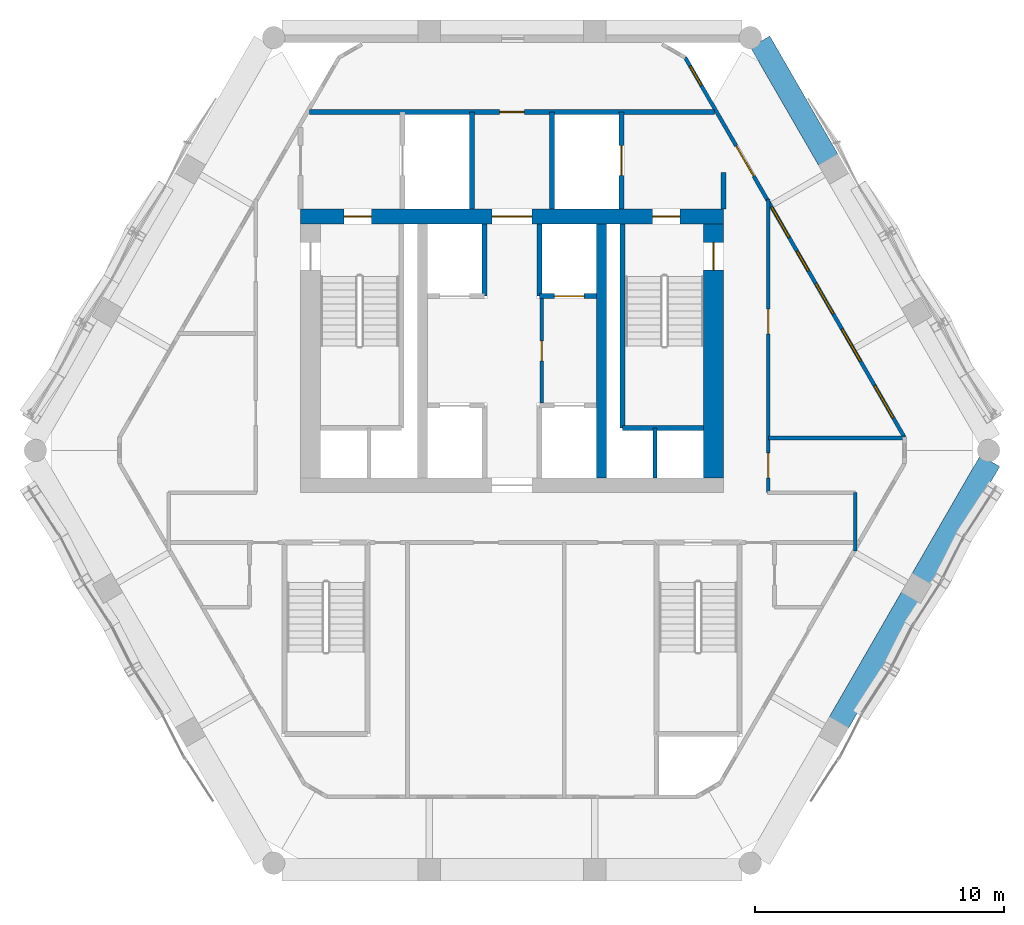
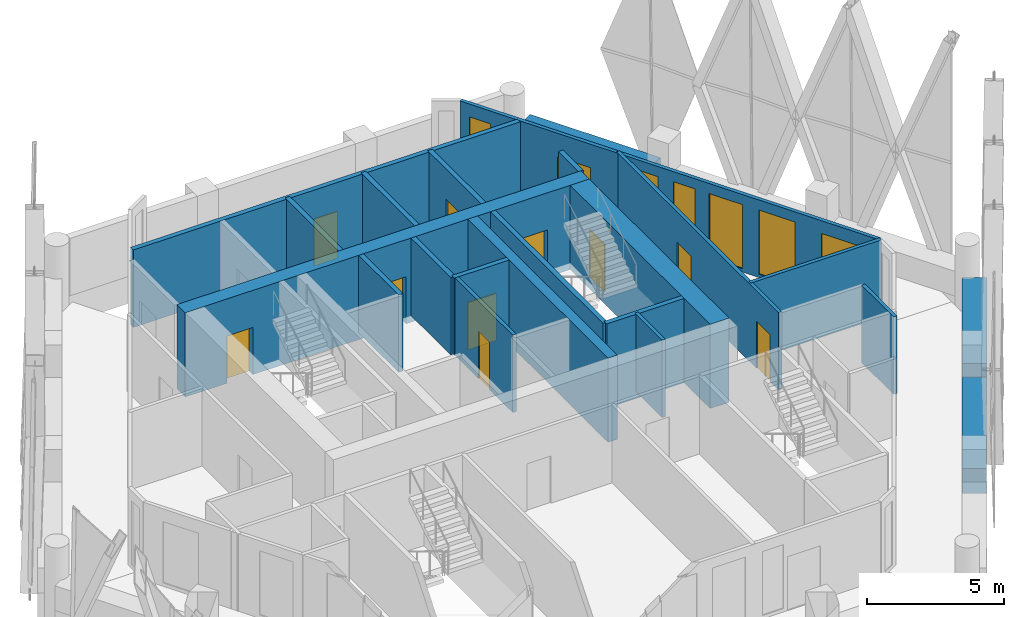
# One storey, part 14 of 18: 22 walls, 11 doors, 6 windows, 17 openings.
"""IFC4 building model written with IfcOpenShell, lengths in metres."""

import ifcopenshell
import ifcopenshell.guid

model = None  # the IFC model being written
_history = None  # IfcOwnerHistory: only IFC2X3 demands one
_inside = {}  # id of a spatial element -> (the spatial element, [elements in it])
_under = {}  # id of a project, library or spatial element -> (it, [spatial elements below it])
_declared = {}  # id of a project -> (the project, [libraries it declares])
_typed = {}  # id of a type object -> (the type object, [elements of that type])
_made_of = {}  # id of a material, layer set ... -> (it, [elements and type objects made of it])


def new_model(schema):
    """Start an empty IFC model of exactly this schema.

    Asked for "IFC4X3", IfcOpenShell would pick the latest addendum, in which some entities
    have other attributes; the version numbers below select the first issue.
    IFC2X3 requires an IfcOwnerHistory on every rooted entity: one is made here for all.
    """
    global model, _history
    if schema == "IFC4X3":
        model = ifcopenshell.file(schema_version=(4, 3, 0, 0))
    else:
        model = ifcopenshell.file(schema=schema)
    _inside.clear()
    _under.clear()
    _declared.clear()
    _typed.clear()
    _made_of.clear()
    _history = None
    if model.schema == "IFC2X3":
        org = make("IfcOrganization", Name="unknown")
        user = make(
            "IfcPersonAndOrganization",
            ThePerson=make("IfcPerson", FamilyName="unknown"),
            TheOrganization=org,
        )
        app = make(
            "IfcApplication",
            ApplicationDeveloper=org,
            Version="unknown",
            ApplicationFullName="unknown",
            ApplicationIdentifier="unknown",
        )
        _history = make(
            "IfcOwnerHistory",
            OwningUser=user,
            OwningApplication=app,
            ChangeAction="ADDED",
            CreationDate=0,
        )
    return model


def make(cls, **values):
    """One entity of the class cls with the attributes given. An attribute that is None is left unset."""
    return model.create_entity(
        cls, **{name: value for name, value in values.items() if value is not None}
    )


def rooted(cls, **values):
    """An entity with a GlobalId (a new one), such as an element, a storey or a relation."""
    return make(cls, GlobalId=ifcopenshell.guid.new(), OwnerHistory=_history, **values)


def si_unit(unit_type, name, prefix=None):
    """IfcSIUnit, for example si_unit("LENGTHUNIT", "METRE", prefix="MILLI")."""
    return make("IfcSIUnit", UnitType=unit_type, Prefix=prefix, Name=name)


def assignment(units):
    """IfcUnitAssignment: the units of a project."""
    return None if units is None else make("IfcUnitAssignment", Units=units)


def point(xyz):
    """IfcCartesianPoint."""
    return None if xyz is None else make("IfcCartesianPoint", Coordinates=xyz)


def direction(xyz):
    """IfcDirection."""
    return None if xyz is None else make("IfcDirection", DirectionRatios=xyz)


def frame(location, z_axis=None, x_axis=None):
    """IfcAxis2Placement3D, a coordinate frame: its origin and axes. An axis left out is left unset."""
    return make(
        "IfcAxis2Placement3D",
        Location=point(location),
        Axis=direction(z_axis),
        RefDirection=direction(x_axis),
    )


def frame_2d(location, x_axis=None):
    """IfcAxis2Placement2D, a coordinate frame in the plane: its origin and x axis."""
    return make(
        "IfcAxis2Placement2D", Location=point(location), RefDirection=direction(x_axis)
    )


def origin():
    """The frame at (0, 0, 0) with its axes left unset."""
    return frame((0.0, 0.0, 0.0))


def place(relative_to, where):
    """IfcLocalPlacement: puts the frame where relative to a parent placement (None: the world)."""
    return make(
        "IfcLocalPlacement", PlacementRelTo=relative_to, RelativePlacement=where
    )


def context(
    kind, dimensions, precision=None, world=None, true_north=None, identifier=None
):
    """IfcGeometricRepresentationContext, for example the 3D "Model" context."""
    return make(
        "IfcGeometricRepresentationContext",
        ContextIdentifier=identifier,
        ContextType=kind,
        CoordinateSpaceDimension=dimensions,
        Precision=precision,
        WorldCoordinateSystem=world,
        TrueNorth=true_north,
    )


def subcontext(parent, identifier, kind, view, scale=None):
    """IfcGeometricRepresentationSubContext, for example "Body" below "Model"."""
    return make(
        "IfcGeometricRepresentationSubContext",
        ContextIdentifier=identifier,
        ContextType=kind,
        ParentContext=parent,
        TargetScale=scale,
        TargetView=view,
    )


def project(units=None, contexts=None):
    """IfcProject with its units and contexts."""
    return rooted(
        "IfcProject",
        Name="project",
        RepresentationContexts=contexts,
        UnitsInContext=assignment(units),
    )


def spatial(cls, under=None, at=None, **own):
    """A site, building, storey or space (cls), placed at a placement, below another one or the project."""
    s = rooted(cls, ObjectPlacement=at, **own)
    if under is not None:
        _under.setdefault(under.id(), (under, []))[1].append(s)
    return s


def profile(cls, at=None, kind="AREA", **sizes):
    """A parametric profile (cls). Its sizes go by their IFC names, for example OverallWidth=200.0."""
    return make(cls, ProfileType=kind, Position=at, **sizes)


def rectangle(**sizes):
    """IfcRectangleProfileDef."""
    return profile("IfcRectangleProfileDef", **sizes)


def extrude(swept, where, along, depth):
    """IfcExtrudedAreaSolid: the profile swept, set in the frame where, extruded along a direction by depth."""
    return make(
        "IfcExtrudedAreaSolid",
        SweptArea=swept,
        Position=where,
        ExtrudedDirection=direction(along),
        Depth=depth,
    )


def shape(context_of_items, identifier, shape_type, items):
    """IfcShapeRepresentation: the items that make up one representation, for example the "Body"."""
    return make(
        "IfcShapeRepresentation",
        ContextOfItems=context_of_items,
        RepresentationIdentifier=identifier,
        RepresentationType=shape_type,
        Items=items,
    )


def material(Name=None, Category=None):
    """IfcMaterial."""
    return make("IfcMaterial", Name=Name, Category=Category)


def layer(
    of_material, thickness, ventilated=None, Name=None, Category=None, Priority=None
):
    """IfcMaterialLayer: one layer of a wall or slab, of a material (None: an air gap)."""
    return make(
        "IfcMaterialLayer",
        Material=of_material,
        LayerThickness=thickness,
        IsVentilated=ventilated,
        Name=Name,
        Category=Category,
        Priority=Priority,
    )


def layer_set(layers, Name=None):
    """IfcMaterialLayerSet."""
    return make("IfcMaterialLayerSet", MaterialLayers=layers, LayerSetName=Name)


def made_of(thing, what):
    """Note that an element or type object is made of a material, layer set ...; save() writes the relation."""
    if what is not None:
        _made_of.setdefault(what.id(), (what, []))[1].append(thing)
    return thing


def type_object(cls, material=None, **own):
    """A type object (cls), such as IfcWallType, which elements share."""
    return made_of(rooted(cls, **own), material)


def element(
    cls,
    number,
    at=None,
    inside=None,
    cuts=None,
    type_object=None,
    material=None,
    context=None,
    identifier="Body",
    shape_type=None,
    held_by="IfcProductDefinitionShape",
    body=None,
    shapes=None,
    **own,
):
    """One element of the class cls, such as IfcWall. Its Tag is "e" and its number.

    at: its placement. inside: the storey or other place that contains it. cuts: it is an
    opening in that element (IfcRelVoidsElement). A single representation is given by context,
    identifier, shape_type and body (its items); several are given by shapes. held_by: the class
    of the entity that holds the representations. save() writes the other relations.
    """
    e = rooted(cls, Tag="e%d" % number, ObjectPlacement=at, **own)
    if body is not None:
        shapes = [shape(context, identifier, shape_type, body)]
    if shapes is not None:
        e.Representation = make(held_by, Representations=shapes)
    if inside is not None:
        _inside.setdefault(inside.id(), (inside, []))[1].append(e)
    if cuts is not None:
        rooted(
            "IfcRelVoidsElement", RelatingBuildingElement=cuts, RelatedOpeningElement=e
        )
    if type_object is not None:
        _typed.setdefault(type_object.id(), (type_object, []))[1].append(e)
    return made_of(e, material)


def fill(opening, filler):
    """IfcRelFillsElement: the door or window that sits in an opening."""
    return rooted(
        "IfcRelFillsElement",
        RelatingOpeningElement=opening,
        RelatedBuildingElement=filler,
    )


def aggregate(whole, parts):
    """IfcRelAggregates: a whole, such as a stair, and the parts it consists of."""
    return rooted("IfcRelAggregates", RelatingObject=whole, RelatedObjects=parts)


def save(model, path):
    """Write the relations noted so far, then the file.

    IfcRelAggregates (storeys below a building ...), IfcRelContainedInSpatialStructure (elements
    in a storey), IfcRelDefinesByType, IfcRelAssociatesMaterial and IfcRelDeclares: one each for
    every whole, place, type object, material and project.
    """
    for whole, parts in _under.values():
        aggregate(whole, parts)
    for where, things in _inside.values():
        rooted(
            "IfcRelContainedInSpatialStructure",
            RelatedElements=things,
            RelatingStructure=where,
        )
    for kind, things in _typed.values():
        rooted("IfcRelDefinesByType", RelatedObjects=things, RelatingType=kind)
    for what, things in _made_of.values():
        rooted("IfcRelAssociatesMaterial", RelatedObjects=things, RelatingMaterial=what)
    for by, libraries in _declared.values():
        rooted("IfcRelDeclares", RelatingContext=by, RelatedDefinitions=libraries)
    model.write(path)


model = new_model("IFC4")

# Units and contexts
model_context = context("Model", 3, precision=1e-05, world=origin(), true_north=direction((0.0, 1.0)))
body_context = subcontext(model_context, "Body", "Model", "MODEL_VIEW")
ifc_project = project(units=[si_unit("LENGTHUNIT", "METRE"), si_unit("AREAUNIT", "SQUARE_METRE"), si_unit("VOLUMEUNIT", "CUBIC_METRE"), si_unit("PLANEANGLEUNIT", "RADIAN"), si_unit("MASSUNIT", "GRAM", prefix="KILO")], contexts=[model_context])

# Site, building, storey
site_placement = place(None, origin())
site = spatial("IfcSite", under=ifc_project, at=site_placement, CompositionType="ELEMENT")
building_placement = place(site_placement, origin())
building = spatial("IfcBuilding", under=site, at=building_placement, Name="Ostrander Bayou Hotel Tower", CompositionType="ELEMENT")
storey_placement = place(building_placement, frame((0.0, 0.0, 214.5)))
storey = spatial("IfcBuildingStorey", under=building, at=storey_placement, Name="L53", CompositionType="ELEMENT", Elevation=214.5)

# Wall, openings, doors
ifc_material_1 = material(Name="Concrete f'c 60 MPa", Category="concrete")
ifc_layer_1 = layer(ifc_material_1, 0.60009765625)
ifc_layer_set_1 = layer_set([ifc_layer_1], Name="CW10 core wall 600 mm f'c 60 MPa")
wall_type_1 = type_object("IfcWallType", Name="CW10 core wall 600 mm f'c 60 MPa", PredefinedType="SHEAR", material=ifc_layer_set_1)
wall_1_placement = place(storey_placement, frame((-8.5, 9.39990234375, -0.300048828125), z_axis=(0.0, 0.0, 1.0), x_axis=(1.0, 0.0, 0.0)))
wall_1 = element("IfcWall", 1, at=wall_1_placement, inside=storey, type_object=wall_type_1, Name="CW10 L53 N", PredefinedType="SHEAR", context=body_context, shape_type="SweptSolid", body=[
    extrude(rectangle(XDim=17.0, YDim=0.60009765625, at=frame_2d((8.5, 0.0))), origin(), (0.0, 0.0, 1.0), 3.75),
])
opening_1_placement = place(wall_1_placement, frame((7.699951171875, 0.0, 0.0)))
opening_1 = element("IfcOpeningElement", 2, at=opening_1_placement, cuts=wall_1, Name="Opening T53-006", PredefinedType="OPENING", context=body_context, shape_type="SweptSolid", body=[
    extrude(rectangle(XDim=1.60009765625, YDim=2.10009765625, at=frame_2d((0.800048828125, 1.050048828125))), frame((0.0, 0.300048828125, 0.0), z_axis=(0.0, -1.0, 0.0), x_axis=(1.0, 0.0, 0.0)), (0.0, 0.0, 1.0), 0.60009765625),
])
opening_2_placement = place(wall_1_placement, frame((1.75, 0.0, 0.0)))
opening_2 = element("IfcOpeningElement", 3, at=opening_2_placement, cuts=wall_1, Name="Opening T53-007", PredefinedType="OPENING", context=body_context, shape_type="SweptSolid", body=[
    extrude(rectangle(XDim=1.10009765625, YDim=2.10009765625, at=frame_2d((0.550048828125, 1.050048828125))), frame((0.0, 0.300048828125, 0.0), z_axis=(0.0, -1.0, 0.0), x_axis=(1.0, 0.0, 0.0)), (0.0, 0.0, 1.0), 0.60009765625),
])
opening_3_placement = place(wall_1_placement, frame((14.14990234375, 0.0, 0.0)))
opening_3 = element("IfcOpeningElement", 4, at=opening_3_placement, cuts=wall_1, Name="Opening T53-009", PredefinedType="OPENING", context=body_context, shape_type="SweptSolid", body=[
    extrude(rectangle(XDim=1.10009765625, YDim=2.10009765625, at=frame_2d((0.550048828125, 1.050048828125))), frame((0.0, 0.300048828125, 0.0), z_axis=(0.0, -1.0, 0.0), x_axis=(1.0, 0.0, 0.0)), (0.0, 0.0, 1.0), 0.60009765625),
])
ifc_material_2 = material(Name="Timber door leaf", Category="wood")
door_type_1 = type_object("IfcDoorType", Name="D13 double door 1600 x 2100 mm, 1 hour", OperationType="SINGLE_SWING_LEFT", PredefinedType="DOOR", material=ifc_material_2)
door_1_placement = place(opening_1_placement, origin())
door_1 = element("IfcDoor", 5, at=door_1_placement, inside=storey, type_object=door_type_1, Name="dr:L53:006", OperationType="DOUBLE_DOOR_SINGLE_SWING", OverallHeight=2.10009765625, OverallWidth=1.60009765625, PredefinedType="DOOR", context=body_context, shape_type="SweptSolid", body=[
    extrude(rectangle(XDim=1.60009765625, YDim=2.10009765625, at=frame_2d((0.800048828125, 1.050048828125))), frame((0.0, 0.02490234375, 0.0), z_axis=(0.0, -1.0, 0.0), x_axis=(1.0, 0.0, 0.0)), (0.0, 0.0, 1.0), 0.050048828125),
])
fill(opening_1, door_1)
ifc_material_3 = material(Name="Timber door leaf", Category="wood")
door_type_2 = type_object("IfcDoorType", Name="D5 stair door 1100 x 2100 mm, 90 minute", OperationType="SINGLE_SWING_LEFT", PredefinedType="DOOR", material=ifc_material_3)
door_2_placement = place(opening_2_placement, origin())
door_2 = element("IfcDoor", 6, at=door_2_placement, inside=storey, type_object=door_type_2, Name="dr:L53:007", OperationType="SINGLE_SWING_LEFT", OverallHeight=2.10009765625, OverallWidth=1.10009765625, PredefinedType="DOOR", context=body_context, shape_type="SweptSolid", body=[
    extrude(rectangle(XDim=1.10009765625, YDim=2.10009765625, at=frame_2d((0.550048828125, 1.050048828125))), frame((0.0, 0.02490234375, 0.0), z_axis=(0.0, -1.0, 0.0), x_axis=(1.0, 0.0, 0.0)), (0.0, 0.0, 1.0), 0.050048828125),
])
fill(opening_2, door_2)
door_3_placement = place(opening_3_placement, origin())
door_3 = element("IfcDoor", 7, at=door_3_placement, inside=storey, type_object=door_type_2, Name="dr:L53:009", OperationType="SINGLE_SWING_RIGHT", OverallHeight=2.10009765625, OverallWidth=1.10009765625, PredefinedType="DOOR", context=body_context, shape_type="SweptSolid", body=[
    extrude(rectangle(XDim=1.10009765625, YDim=2.10009765625, at=frame_2d((0.550048828125, 1.050048828125))), frame((0.0, 0.02490234375, 0.0), z_axis=(0.0, -1.0, 0.0), x_axis=(1.0, 0.0, 0.0)), (0.0, 0.0, 1.0), 0.050048828125),
])
fill(opening_3, door_3)

# Wall, opening, door
ifc_material_4 = material(Name="Concrete f'c 60 MPa", Category="concrete")
ifc_layer_2 = layer(ifc_material_4, 0.800048828125)
ifc_layer_set_2 = layer_set([ifc_layer_2], Name="CW11 core spine wall 800 mm f'c 60 MPa")
wall_type_2 = type_object("IfcWallType", Name="CW11 core spine wall 800 mm f'c 60 MPa", PredefinedType="SHEAR", material=ifc_layer_set_2)
wall_2_placement = place(storey_placement, frame((8.10009765625, -1.10009765625, -0.300048828125), z_axis=(0.0, 0.0, 1.0), x_axis=(0.0, 1.0, 0.0)))
wall_2 = element("IfcWall", 8, at=wall_2_placement, inside=storey, type_object=wall_type_2, Name="CW11 L53 E", PredefinedType="SHEAR", context=body_context, shape_type="SweptSolid", body=[
    extrude(rectangle(XDim=10.2001953125, YDim=0.800048828125, at=frame_2d((5.10009765625, 0.0))), origin(), (0.0, 0.0, 1.0), 3.75),
])
opening_4_placement = place(wall_2_placement, frame((8.35009765625, 0.0, 0.0)))
opening_4 = element("IfcOpeningElement", 9, at=opening_4_placement, cuts=wall_2, Name="Opening T53-010", PredefinedType="OPENING", context=body_context, shape_type="SweptSolid", body=[
    extrude(rectangle(XDim=1.10009765625, YDim=2.10009765625, at=frame_2d((0.550048828125, 1.050048828125))), frame((0.0, 0.39990234375, 0.0), z_axis=(0.0, -1.0, 0.0), x_axis=(1.0, 0.0, 0.0)), (0.0, 0.0, 1.0), 0.800048828125),
])
door_4_placement = place(opening_4_placement, origin())
door_4 = element("IfcDoor", 10, at=door_4_placement, inside=storey, type_object=door_type_2, Name="dr:L53:010", OperationType="SINGLE_SWING_LEFT", OverallHeight=2.10009765625, OverallWidth=1.10009765625, PredefinedType="DOOR", context=body_context, shape_type="SweptSolid", body=[
    extrude(rectangle(XDim=1.10009765625, YDim=2.10009765625, at=frame_2d((0.550048828125, 1.050048828125))), frame((0.0, 0.02490234375, 0.0), z_axis=(0.0, -1.0, 0.0), x_axis=(1.0, 0.0, 0.0)), (0.0, 0.0, 1.0), 0.050048828125),
])
fill(opening_4, door_4)

# Wall
ifc_material_5 = material(Name="Concrete f'c 60 MPa", Category="concrete")
ifc_layer_3 = layer(ifc_material_5, 0.39990234375)
ifc_layer_set_3 = layer_set([ifc_layer_3], Name="CW12 core bank wall 400 mm f'c 60 MPa")
wall_type_3 = type_object("IfcWallType", Name="CW12 core bank wall 400 mm f'c 60 MPa", PredefinedType="SHEAR", material=ifc_layer_set_3)
wall_3_placement = place(storey_placement, frame((3.60009765625, -1.10009765625, -0.300048828125), z_axis=(0.0, 0.0, 1.0), x_axis=(0.0, 1.0, 0.0)))
element("IfcWall", 11, at=wall_3_placement, inside=storey, type_object=wall_type_3, Name="CW12 L53 CE", PredefinedType="SHEAR", context=body_context, shape_type="SweptSolid", body=[
    extrude(rectangle(XDim=10.2001953125, YDim=0.39990234375, at=frame_2d((5.10009765625, 0.0))), origin(), (0.0, 0.0, 1.0), 3.75),
])

# Wall, openings, door, windows
ifc_material_6 = material(Name="Aluminium framed insulated wall", Category="aluminium")
ifc_layer_4 = layer(ifc_material_6, 0.14990234375)
ifc_layer_set_4 = layer_set([ifc_layer_4], Name="GW1 glass-line wall 150 mm")
wall_type_4 = type_object("IfcWallType", Name="GW1 glass-line wall 150 mm", PredefinedType="SOLIDWALL", material=ifc_layer_set_4)
wall_4_placement = place(storey_placement, frame((15.771728515625, 0.532470703125, 0.0), z_axis=(0.0, 0.0, 1.0), x_axis=(-0.49999710518, 0.866027075103, 0.0)))
wall_4 = element("IfcWall", 12, at=wall_4_placement, inside=storey, type_object=wall_type_4, Name="GW1 L53 NE 1", PredefinedType="SOLIDWALL", context=body_context, shape_type="SweptSolid", body=[
    extrude(rectangle(XDim=17.62060546875, YDim=0.14990234375, at=frame_2d((8.810302734375, 0.0))), origin(), (0.0, 0.0, 1.0), 3.449951171875),
])
opening_5_placement = place(wall_4_placement, frame((3.524658203125, 0.0, 0.14990234375)))
opening_5 = element("IfcOpeningElement", 13, at=opening_5_placement, cuts=wall_4, Name="Opening W4", PredefinedType="OPENING", context=body_context, shape_type="SweptSolid", body=[
    extrude(rectangle(XDim=1.5, YDim=2.85009765625, at=frame_2d((0.75, 1.425048828125))), frame((0.0, 0.074951171875, 0.0), z_axis=(0.0, -1.0, 0.0), x_axis=(1.0, 0.0, 0.0)), (0.0, 0.0, 1.0), 0.14990234375),
])
opening_6_placement = place(wall_4_placement, frame((5.724609375, 0.0, 0.14990234375)))
opening_6 = element("IfcOpeningElement", 14, at=opening_6_placement, cuts=wall_4, Name="Opening W14", PredefinedType="OPENING", context=body_context, shape_type="SweptSolid", body=[
    extrude(rectangle(XDim=1.39990234375, YDim=2.85009765625, at=frame_2d((0.699951171875, 1.425048828125))), frame((0.0, 0.074951171875, 0.0), z_axis=(0.0, -1.0, 0.0), x_axis=(1.0, 0.0, 0.0)), (0.0, 0.0, 1.0), 0.14990234375),
])
opening_7_placement = place(wall_4_placement, frame((7.724609375, 0.0, 0.14990234375)))
opening_7 = element("IfcOpeningElement", 15, at=opening_7_placement, cuts=wall_4, Name="Opening W18", PredefinedType="OPENING", context=body_context, shape_type="SweptSolid", body=[
    extrude(rectangle(XDim=0.89990234375, YDim=2.85009765625, at=frame_2d((0.449951171875, 1.425048828125))), frame((0.0, 0.074951171875, 0.0), z_axis=(0.0, -1.0, 0.0), x_axis=(1.0, 0.0, 0.0)), (0.0, 0.0, 1.0), 0.14990234375),
])
opening_8_placement = place(wall_4_placement, frame((9.271484375, 0.0, 0.14990234375)))
opening_8 = element("IfcOpeningElement", 16, at=opening_8_placement, cuts=wall_4, Name="Opening W14", PredefinedType="OPENING", context=body_context, shape_type="SweptSolid", body=[
    extrude(rectangle(XDim=1.39990234375, YDim=2.85009765625, at=frame_2d((0.699951171875, 1.425048828125))), frame((0.0, 0.074951171875, 0.0), z_axis=(0.0, -1.0, 0.0), x_axis=(1.0, 0.0, 0.0)), (0.0, 0.0, 1.0), 0.14990234375),
])
opening_9_placement = place(wall_4_placement, frame((12.114013671875, 0.0, 0.0)))
opening_9 = element("IfcOpeningElement", 17, at=opening_9_placement, cuts=wall_4, Name="Opening T53-803", PredefinedType="OPENING", context=body_context, shape_type="SweptSolid", body=[
    extrude(rectangle(XDim=1.39990234375, YDim=2.39990234375, at=frame_2d((0.699951171875, 1.199951171875))), frame((0.0, 0.074951171875, 0.0), z_axis=(0.0, -1.0, 0.0), x_axis=(1.0, 0.0, 0.0)), (0.0, 0.0, 1.0), 0.14990234375),
])
opening_10_placement = place(wall_4_placement, frame((0.89404296875, 0.0, 0.14990234375)))
opening_10 = element("IfcOpeningElement", 18, at=opening_10_placement, cuts=wall_4, Name="Opening W4", PredefinedType="OPENING", context=body_context, shape_type="SweptSolid", body=[
    extrude(rectangle(XDim=1.5, YDim=2.72998046875, at=frame_2d((0.75, 1.364990234375))), frame((0.0, 0.074951171875, 0.0), z_axis=(0.0, -1.0, 0.0), x_axis=(1.0, 0.0, 0.0)), (0.0, 0.0, 1.0), 0.14990234375),
])
opening_11_placement = place(wall_4_placement, frame((16.32275390625, 0.0, 0.14990234375)))
opening_11 = element("IfcOpeningElement", 19, at=opening_11_placement, cuts=wall_4, Name="Opening W18", PredefinedType="OPENING", context=body_context, shape_type="SweptSolid", body=[
    extrude(rectangle(XDim=0.89990234375, YDim=2.72998046875, at=frame_2d((0.449951171875, 1.364990234375))), frame((0.0, 0.074951171875, 0.0), z_axis=(0.0, -1.0, 0.0), x_axis=(1.0, 0.0, 0.0)), (0.0, 0.0, 1.0), 0.14990234375),
])
ifc_material_7 = material(Name="Aluminium and clear glass", Category="aluminium")
door_type_3 = type_object("IfcDoorType", Name="SD4 sliding glass door 1400 mm, zone 4", OperationType="SLIDING_TO_LEFT", PredefinedType="DOOR", material=ifc_material_7)
door_5_placement = place(opening_9_placement, origin())
door_5 = element("IfcDoor", 20, at=door_5_placement, inside=storey, type_object=door_type_3, Name="SD4 L53 NE 4", OperationType="SLIDING_TO_RIGHT", OverallHeight=2.39990234375, OverallWidth=1.39990234375, PredefinedType="DOOR", context=body_context, shape_type="SweptSolid", body=[
    extrude(rectangle(XDim=1.39990234375, YDim=2.39990234375, at=frame_2d((0.699951171875, 1.199951171875))), frame((0.0, 0.02490234375, 0.0), z_axis=(0.0, -1.0, 0.0), x_axis=(1.0, 0.0, 0.0)), (0.0, 0.0, 1.0), 0.050048828125),
])
fill(opening_9, door_5)
ifc_material_8 = material(Name="Aluminium and clear glass", Category="aluminium")
window_type_1 = type_object("IfcWindowType", Name="W14 fixed window 1400 mm, bath bay, zone 4", PartitioningType="SINGLE_PANEL", PredefinedType="WINDOW", material=ifc_material_8)
window_1_placement = place(opening_6_placement, origin())
window_1 = element("IfcWindow", 21, at=window_1_placement, inside=storey, type_object=window_type_1, Name="W14 L53 NE 2", OverallHeight=2.85009765625, OverallWidth=1.39990234375, PartitioningType="SINGLE_PANEL", PredefinedType="WINDOW", context=body_context, shape_type="SweptSolid", body=[
    extrude(rectangle(XDim=1.39990234375, YDim=2.85009765625, at=frame_2d((0.699951171875, 1.425048828125))), frame((0.0, 0.030029296875, 0.0), z_axis=(0.0, -1.0, 0.0), x_axis=(1.0, 0.0, 0.0)), (0.0, 0.0, 1.0), 0.06005859375),
])
fill(opening_6, window_1)
window_2_placement = place(opening_8_placement, origin())
window_2 = element("IfcWindow", 22, at=window_2_placement, inside=storey, type_object=window_type_1, Name="W14 L53 NE 3", OverallHeight=2.85009765625, OverallWidth=1.39990234375, PartitioningType="SINGLE_PANEL", PredefinedType="WINDOW", context=body_context, shape_type="SweptSolid", body=[
    extrude(rectangle(XDim=1.39990234375, YDim=2.85009765625, at=frame_2d((0.699951171875, 1.425048828125))), frame((0.0, 0.030029296875, 0.0), z_axis=(0.0, -1.0, 0.0), x_axis=(1.0, 0.0, 0.0)), (0.0, 0.0, 1.0), 0.06005859375),
])
fill(opening_8, window_2)
ifc_material_9 = material(Name="Aluminium and clear glass", Category="aluminium")
window_type_2 = type_object("IfcWindowType", Name="W18 window 900 mm, zone 4", PartitioningType="SINGLE_PANEL", PredefinedType="WINDOW", material=ifc_material_9)
window_3_placement = place(opening_7_placement, origin())
window_3 = element("IfcWindow", 23, at=window_3_placement, inside=storey, type_object=window_type_2, Name="W18 L53 NE 3", OverallHeight=2.85009765625, OverallWidth=0.89990234375, PartitioningType="SINGLE_PANEL", PredefinedType="WINDOW", context=body_context, shape_type="SweptSolid", body=[
    extrude(rectangle(XDim=0.89990234375, YDim=2.85009765625, at=frame_2d((0.449951171875, 1.425048828125))), frame((0.0, 0.030029296875, 0.0), z_axis=(0.0, -1.0, 0.0), x_axis=(1.0, 0.0, 0.0)), (0.0, 0.0, 1.0), 0.06005859375),
])
fill(opening_7, window_3)
window_4_placement = place(opening_11_placement, origin())
window_4 = element("IfcWindow", 24, at=window_4_placement, inside=storey, type_object=window_type_2, Name="W18 L53 NE E21", OverallHeight=2.72998046875, OverallWidth=0.89990234375, PartitioningType="SINGLE_PANEL", PredefinedType="WINDOW", context=body_context, shape_type="SweptSolid", body=[
    extrude(rectangle(XDim=0.89990234375, YDim=2.72998046875, at=frame_2d((0.449951171875, 1.364990234375))), frame((0.0, 0.030029296875, 0.0), z_axis=(0.0, -1.0, 0.0), x_axis=(1.0, 0.0, 0.0)), (0.0, 0.0, 1.0), 0.06005859375),
])
fill(opening_11, window_4)
ifc_material_10 = material(Name="Aluminium and clear glass", Category="aluminium")
window_type_3 = type_object("IfcWindowType", Name="W4 fixed window 1500 mm, zone 4", PartitioningType="SINGLE_PANEL", PredefinedType="WINDOW", material=ifc_material_10)
window_5_placement = place(opening_5_placement, origin())
window_5 = element("IfcWindow", 25, at=window_5_placement, inside=storey, type_object=window_type_3, Name="W4 L53 NE 2", OverallHeight=2.85009765625, OverallWidth=1.5, PartitioningType="SINGLE_PANEL", PredefinedType="WINDOW", context=body_context, shape_type="SweptSolid", body=[
    extrude(rectangle(XDim=1.5, YDim=2.85009765625, at=frame_2d((0.75, 1.425048828125))), frame((0.0, 0.030029296875, 0.0), z_axis=(0.0, -1.0, 0.0), x_axis=(1.0, 0.0, 0.0)), (0.0, 0.0, 1.0), 0.06005859375),
])
fill(opening_5, window_5)
window_6_placement = place(opening_10_placement, origin())
window_6 = element("IfcWindow", 26, at=window_6_placement, inside=storey, type_object=window_type_3, Name="W4 L53 NE E11", OverallHeight=2.72998046875, OverallWidth=1.5, PartitioningType="SINGLE_PANEL", PredefinedType="WINDOW", context=body_context, shape_type="SweptSolid", body=[
    extrude(rectangle(XDim=1.5, YDim=2.72998046875, at=frame_2d((0.75, 1.364990234375))), frame((0.0, 0.030029296875, 0.0), z_axis=(0.0, -1.0, 0.0), x_axis=(1.0, 0.0, 0.0)), (0.0, 0.0, 1.0), 0.06005859375),
])
fill(opening_10, window_6)

# Walls
ifc_material_11 = material(Name="Concrete f'c 40 MPa", Category="concrete")
ifc_layer_5 = layer(ifc_material_11, 0.89990234375)
ifc_layer_set_5 = layer_set([ifc_layer_5], Name="PA1 stone-faced parapet 900 mm")
wall_type_5 = type_object("IfcWallType", Name="PA1 stone-faced parapet 900 mm", PredefinedType="PARAPET", material=ifc_layer_set_5)
wall_5_placement = place(storey_placement, frame((12.7177734375, 11.672119140625, 0.0), z_axis=(0.0, 0.0, 1.0), x_axis=(-0.50000722722, 0.866021231107, 0.0)))
element("IfcWall", 27, at=wall_5_placement, inside=storey, type_object=wall_type_5, Name="PA1 L53 NE-3", PredefinedType="PARAPET", context=body_context, shape_type="SweptSolid", body=[
    extrude(rectangle(XDim=5.49169921875, YDim=0.89990234375, at=frame_2d((2.745849609375, 0.0))), origin(), (0.0, 0.0, 1.0), 1.10009765625),
])
ifc_material_12 = material(Name="Limestone masonry", Category="masonry")
ifc_layer_6 = layer(ifc_material_12, 0.89990234375)
ifc_layer_set_6 = layer_set([ifc_layer_6], Name="PA2 limestone parapet 900 mm")
wall_type_6 = type_object("IfcWallType", Name="PA2 limestone parapet 900 mm", PredefinedType="PARAPET", material=ifc_layer_set_6)
wall_6_placement = place(storey_placement, frame((13.1376953125, -10.944580078125, 0.0), z_axis=(0.0, 0.0, 1.0), x_axis=(0.500015433515, 0.866016493057, 0.0)))
element("IfcWall", 28, at=wall_6_placement, inside=storey, type_object=wall_type_6, Name="PA2 L53 SE-2", PredefinedType="PARAPET", context=body_context, shape_type="SweptSolid", body=[
    extrude(rectangle(XDim=5.818603515625, YDim=0.89990234375, at=frame_2d((2.9091796875, 0.0))), origin(), (0.0, 0.0, 1.0), 1.10009765625),
])
wall_7_placement = place(storey_placement, frame((16.46728515625, -5.177978515625, 0.0), z_axis=(0.0, 0.0, 1.0), x_axis=(0.50000722722, 0.866021231107, 0.0)))
element("IfcWall", 29, at=wall_7_placement, inside=storey, type_object=wall_type_6, Name="PA2 L53 SE-3", PredefinedType="PARAPET", context=body_context, shape_type="SweptSolid", body=[
    extrude(rectangle(XDim=5.49169921875, YDim=0.89990234375, at=frame_2d((2.745849609375, 0.0))), origin(), (0.0, 0.0, 1.0), 1.10009765625),
])

# Wall, opening, door
ifc_material_13 = material(Name="Masonry block", Category="masonry")
ifc_layer_7 = layer(ifc_material_13, 0.199951171875)
ifc_layer_set_7 = layer_set([ifc_layer_7], Name="PT5 stair enclosure wall 200 mm masonry, 2 hour")
wall_type_7 = type_object("IfcWallType", Name="PT5 stair enclosure wall 200 mm masonry, 2 hour", PredefinedType="PARTITIONING", material=ifc_layer_set_7)
wall_8_placement = place(storey_placement, frame((-8.140625, 13.60009765625, 0.0), z_axis=(0.0, 0.0, 1.0), x_axis=(1.0, 0.0, 0.0)))
wall_8 = element("IfcWall", 30, at=wall_8_placement, inside=storey, type_object=wall_type_7, Name="cs:L53:024", PredefinedType="PARTITIONING", context=body_context, shape_type="SweptSolid", body=[
    extrude(rectangle(XDim=16.28125, YDim=0.199951171875, at=frame_2d((8.140625, 0.0))), origin(), (0.0, 0.0, 1.0), 3.449951171875),
])
opening_12_placement = place(wall_8_placement, frame((7.640625, 0.0, 0.0)))
opening_12 = element("IfcOpeningElement", 31, at=opening_12_placement, cuts=wall_8, Name="Opening T53-016", PredefinedType="OPENING", context=body_context, shape_type="SweptSolid", body=[
    extrude(rectangle(XDim=1.0, YDim=2.10009765625, at=frame_2d((0.5, 1.050048828125))), frame((0.0, 0.10009765625, 0.0), z_axis=(0.0, -1.0, 0.0), x_axis=(1.0, 0.0, 0.0)), (0.0, 0.0, 1.0), 0.199951171875),
])
ifc_material_14 = material(Name="Timber door leaf", Category="wood")
door_type_4 = type_object("IfcDoorType", Name="D9 service door 1000 x 2100 mm, 30 minute", OperationType="SINGLE_SWING_LEFT", PredefinedType="DOOR", material=ifc_material_14)
door_6_placement = place(opening_12_placement, origin())
door_6 = element("IfcDoor", 32, at=door_6_placement, inside=storey, type_object=door_type_4, Name="dr:L53:016", OperationType="SINGLE_SWING_LEFT", OverallHeight=2.10009765625, OverallWidth=1.0, PredefinedType="DOOR", context=body_context, shape_type="SweptSolid", body=[
    extrude(rectangle(XDim=1.0, YDim=2.10009765625, at=frame_2d((0.5, 1.050048828125))), frame((0.0, 0.02490234375, 0.0), z_axis=(0.0, -1.0, 0.0), x_axis=(1.0, 0.0, 0.0)), (0.0, 0.0, 1.0), 0.050048828125),
])
fill(opening_12, door_6)

# Wall
wall_9_placement = place(storey_placement, frame((8.5, 9.699951171875, 0.0), z_axis=(0.0, 0.0, 1.0), x_axis=(0.0, 1.0, 0.0)))
element("IfcWall", 33, at=wall_9_placement, inside=storey, type_object=wall_type_7, Name="cs:L53:026", PredefinedType="PARTITIONING", context=body_context, shape_type="SweptSolid", body=[
    extrude(rectangle(XDim=1.4775390625, YDim=0.199951171875, at=frame_2d((0.73876953125, 0.0))), origin(), (0.0, 0.0, 1.0), 3.449951171875),
])

# Wall, opening, door
wall_10_placement = place(storey_placement, frame((4.39990234375, 9.699951171875, 0.0), z_axis=(0.0, 0.0, 1.0), x_axis=(0.0, 1.0, 0.0)))
wall_10 = element("IfcWall", 34, at=wall_10_placement, inside=storey, type_object=wall_type_7, Name="cs:L53:028", PredefinedType="PARTITIONING", context=body_context, shape_type="SweptSolid", body=[
    extrude(rectangle(XDim=3.900146484375, YDim=0.199951171875, at=frame_2d((1.9501953125, 0.0))), origin(), (0.0, 0.0, 1.0), 3.449951171875),
])
opening_13_placement = place(wall_10_placement, frame((1.35009765625, 0.0, 0.0)))
opening_13 = element("IfcOpeningElement", 35, at=opening_13_placement, cuts=wall_10, Name="Opening T53-015", PredefinedType="OPENING", context=body_context, shape_type="SweptSolid", body=[
    extrude(rectangle(XDim=1.199951171875, YDim=2.10009765625, at=frame_2d((0.60009765625, 1.050048828125))), frame((0.0, 0.10009765625, 0.0), z_axis=(0.0, -1.0, 0.0), x_axis=(1.0, 0.0, 0.0)), (0.0, 0.0, 1.0), 0.199951171875),
])
ifc_material_15 = material(Name="Stainless steel sliding door", Category="steel")
door_type_5 = type_object("IfcDoorType", Name="LD1 lift landing door 1200 x 2100 mm", OperationType="SINGLE_SWING_LEFT", PredefinedType="DOOR", material=ifc_material_15)
door_7_placement = place(opening_13_placement, origin())
door_7 = element("IfcDoor", 36, at=door_7_placement, inside=storey, type_object=door_type_5, Name="dr:L53:015", OperationType="SLIDING_TO_LEFT", OverallHeight=2.10009765625, OverallWidth=1.199951171875, PredefinedType="DOOR", context=body_context, shape_type="SweptSolid", body=[
    extrude(rectangle(XDim=1.199951171875, YDim=2.10009765625, at=frame_2d((0.60009765625, 1.050048828125))), frame((0.0, 0.02490234375, 0.0), z_axis=(0.0, -1.0, 0.0), x_axis=(1.0, 0.0, 0.0)), (0.0, 0.0, 1.0), 0.050048828125),
])
fill(opening_13, door_7)

ifc_material_16 = material(Name="Masonry block", Category="masonry")
ifc_layer_8 = layer(ifc_material_16, 0.199951171875)
ifc_layer_set_8 = layer_set([ifc_layer_8], Name="PT6 lift shaft wall 200 mm masonry, 2 hour")
wall_type_8 = type_object("IfcWallType", Name="PT6 lift shaft wall 200 mm masonry, 2 hour", PredefinedType="PARTITIONING", material=ifc_layer_set_8)
wall_11_placement = place(storey_placement, frame((1.10009765625, 6.199951171875, 0.0), z_axis=(0.0, 0.0, 1.0), x_axis=(1.0, 0.0, 0.0)))
wall_11 = element("IfcWall", 37, at=wall_11_placement, inside=storey, type_object=wall_type_8, Name="cs:L53:004", PredefinedType="PARTITIONING", context=body_context, shape_type="SweptSolid", body=[
    extrude(rectangle(XDim=2.2998046875, YDim=0.199951171875, at=frame_2d((1.14990234375, 0.0))), origin(), (0.0, 0.0, 1.0), 3.449951171875),
])
opening_14_placement = place(wall_11_placement, frame((0.60009765625, 0.0, 0.0)))
opening_14 = element("IfcOpeningElement", 38, at=opening_14_placement, cuts=wall_11, Name="Opening T53-004", PredefinedType="OPENING", context=body_context, shape_type="SweptSolid", body=[
    extrude(rectangle(XDim=1.199951171875, YDim=2.10009765625, at=frame_2d((0.60009765625, 1.050048828125))), frame((0.0, 0.10009765625, 0.0), z_axis=(0.0, -1.0, 0.0), x_axis=(1.0, 0.0, 0.0)), (0.0, 0.0, 1.0), 0.199951171875),
])
door_8_placement = place(opening_14_placement, origin())
door_8 = element("IfcDoor", 39, at=door_8_placement, inside=storey, type_object=door_type_5, Name="dr:L53:004", OperationType="SLIDING_TO_LEFT", OverallHeight=2.10009765625, OverallWidth=1.199951171875, PredefinedType="DOOR", context=body_context, shape_type="SweptSolid", body=[
    extrude(rectangle(XDim=1.199951171875, YDim=2.10009765625, at=frame_2d((0.60009765625, 1.050048828125))), frame((0.0, 0.02490234375, 0.0), z_axis=(0.0, -1.0, 0.0), x_axis=(1.0, 0.0, 0.0)), (0.0, 0.0, 1.0), 0.050048828125),
])
fill(opening_14, door_8)

# Walls
for number, where, z_axis, x_axis, name in (
    (40, (-1.10009765625, 6.199951171875, 0.0), (0.0, 0.0, 1.0), (0.0, 1.0, 0.0), "cs:L53:007"),
    (41, (1.10009765625, 6.199951171875, 0.0), (0.0, 0.0, 1.0), (0.0, 1.0, 0.0), "cs:L53:008"),
):
    element("IfcWall", number, at=place(storey_placement, frame(where, z_axis=z_axis, x_axis=x_axis)), inside=storey, type_object=wall_type_8, Name=name, PredefinedType="PARTITIONING", context=body_context, shape_type="SweptSolid", body=[
        extrude(rectangle(XDim=2.900146484375, YDim=0.199951171875, at=frame_2d((1.4501953125, 0.0))), origin(), (0.0, 0.0, 1.0), 3.449951171875),
    ])
for number, where, z_axis, x_axis, name in (
    (42, (-1.60009765625, 9.699951171875, 0.0), (0.0, 0.0, 1.0), (0.0, 1.0, 0.0), "cs:L53:029"),
    (43, (1.60009765625, 9.699951171875, 0.0), (0.0, 0.0, 1.0), (0.0, 1.0, 0.0), "cs:L53:030"),
):
    element("IfcWall", number, at=place(storey_placement, frame(where, z_axis=z_axis, x_axis=x_axis)), inside=storey, type_object=wall_type_8, Name=name, PredefinedType="PARTITIONING", context=body_context, shape_type="SweptSolid", body=[
        extrude(rectangle(XDim=3.900146484375, YDim=0.199951171875, at=frame_2d((1.9501953125, 0.0))), origin(), (0.0, 0.0, 1.0), 3.449951171875),
    ])
ifc_material_17 = material(Name="Gypsum board partition", Category="finish")
ifc_layer_9 = layer(ifc_material_17, 0.14990234375)
ifc_layer_set_9 = layer_set([ifc_layer_9], Name="PT7 riser wall 150 mm, 2 hour")
wall_type_9 = type_object("IfcWallType", Name="PT7 riser wall 150 mm, 2 hour", PredefinedType="PARTITIONING", material=ifc_layer_set_9)
wall_12_placement = place(storey_placement, frame((5.75, -1.10009765625, 0.0), z_axis=(0.0, 0.0, 1.0), x_axis=(0.0, 1.0, 0.0)))
element("IfcWall", 44, at=wall_12_placement, inside=storey, type_object=wall_type_9, Name="cs:L53:014", PredefinedType="PARTITIONING", context=body_context, shape_type="SweptSolid", body=[
    extrude(rectangle(XDim=2.0, YDim=0.14990234375, at=frame_2d((1.0, 0.0))), origin(), (0.0, 0.0, 1.0), 3.449951171875),
])

# Wall, opening, door
wall_13_placement = place(storey_placement, frame((1.199951171875, 1.89990234375, 0.0), z_axis=(0.0, 0.0, 1.0), x_axis=(0.0, 1.0, 0.0)))
wall_13 = element("IfcWall", 45, at=wall_13_placement, inside=storey, type_object=wall_type_9, Name="cs:L53:031", PredefinedType="PARTITIONING", context=body_context, shape_type="SweptSolid", body=[
    extrude(rectangle(XDim=4.2001953125, YDim=0.14990234375, at=frame_2d((2.10009765625, 0.0))), origin(), (0.0, 0.0, 1.0), 3.449951171875),
])
opening_15_placement = place(wall_13_placement, frame((1.699951171875, 0.0, 0.0)))
opening_15 = element("IfcOpeningElement", 46, at=opening_15_placement, cuts=wall_13, Name="Opening T53-017", PredefinedType="OPENING", context=body_context, shape_type="SweptSolid", body=[
    extrude(rectangle(XDim=0.800048828125, YDim=2.10009765625, at=frame_2d((0.39990234375, 1.050048828125))), frame((0.0, 0.074951171875, 0.0), z_axis=(0.0, -1.0, 0.0), x_axis=(1.0, 0.0, 0.0)), (0.0, 0.0, 1.0), 0.14990234375),
])
ifc_material_18 = material(Name="Timber door leaf", Category="wood")
door_type_6 = type_object("IfcDoorType", Name="D6 riser door 800 x 2100 mm, 90 minute", OperationType="SINGLE_SWING_LEFT", PredefinedType="DOOR", material=ifc_material_18)
door_9_placement = place(opening_15_placement, origin())
door_9 = element("IfcDoor", 47, at=door_9_placement, inside=storey, type_object=door_type_6, Name="dr:L53:017", OperationType="SINGLE_SWING_RIGHT", OverallHeight=2.10009765625, OverallWidth=0.800048828125, PredefinedType="DOOR", context=body_context, shape_type="SweptSolid", body=[
    extrude(rectangle(XDim=0.800048828125, YDim=2.10009765625, at=frame_2d((0.39990234375, 1.050048828125))), frame((0.0, 0.02490234375, 0.0), z_axis=(0.0, -1.0, 0.0), x_axis=(1.0, 0.0, 0.0)), (0.0, 0.0, 1.0), 0.050048828125),
])
fill(opening_15, door_9)

# Walls
ifc_material_19 = material(Name="Gypsum board partition", Category="finish")
ifc_layer_10 = layer(ifc_material_19, 0.14990234375)
ifc_layer_set_10 = layer_set([ifc_layer_10], Name="PT8 service band wall 150 mm, 1 hour")
wall_type_10 = type_object("IfcWallType", Name="PT8 service band wall 150 mm, 1 hour", PredefinedType="PARTITIONING", material=ifc_layer_set_10)
wall_14_placement = place(storey_placement, frame((10.300048828125, 0.5, 0.0), z_axis=(0.0, 0.0, 1.0), x_axis=(1.0, 0.0, 0.0)))
element("IfcWall", 48, at=wall_14_placement, inside=storey, type_object=wall_type_10, Name="gw:L53:008", PredefinedType="PARTITIONING", context=body_context, shape_type="SweptSolid", body=[
    extrude(rectangle(XDim=5.489013671875, YDim=0.14990234375, at=frame_2d((2.74462890625, 0.0))), origin(), (0.0, 0.0, 1.0), 3.449951171875),
])
wall_15_placement = place(storey_placement, frame((13.800048828125, -4.0380859375, 0.0), z_axis=(0.0, 0.0, 1.0), x_axis=(0.0, 1.0, 0.0)))
element("IfcWall", 49, at=wall_15_placement, inside=storey, type_object=wall_type_10, Name="gw:L53:010", PredefinedType="PARTITIONING", context=body_context, shape_type="SweptSolid", body=[
    extrude(rectangle(XDim=2.338134765625, YDim=0.14990234375, at=frame_2d((1.1689453125, 0.0))), origin(), (0.0, 0.0, 1.0), 3.449951171875),
])

# Wall, openings, doors
wall_16_placement = place(storey_placement, frame((10.300048828125, -1.699951171875, 0.0), z_axis=(0.0, 0.0, 1.0), x_axis=(0.0, 1.0, 0.0)))
wall_16 = element("IfcWall", 50, at=wall_16_placement, inside=storey, type_object=wall_type_10, Name="gw:L53:012", PredefinedType="PARTITIONING", context=body_context, shape_type="SweptSolid", body=[
    extrude(rectangle(XDim=11.800048828125, YDim=0.14990234375, at=frame_2d((5.89990234375, 0.0))), origin(), (0.0, 0.0, 1.0), 3.449951171875),
])
opening_16_placement = place(wall_16_placement, frame((0.60009765625, 0.0, 0.0)))
opening_16 = element("IfcOpeningElement", 51, at=opening_16_placement, cuts=wall_16, Name="Opening T53-409", PredefinedType="OPENING", context=body_context, shape_type="SweptSolid", body=[
    extrude(rectangle(XDim=1.0, YDim=2.10009765625, at=frame_2d((0.5, 1.050048828125))), frame((0.0, 0.074951171875, 0.0), z_axis=(0.0, -1.0, 0.0), x_axis=(1.0, 0.0, 0.0)), (0.0, 0.0, 1.0), 0.14990234375),
])
opening_17_placement = place(wall_16_placement, frame((6.3798828125, 0.0, 0.0)))
opening_17 = element("IfcOpeningElement", 52, at=opening_17_placement, cuts=wall_16, Name="Opening T53-410", PredefinedType="OPENING", context=body_context, shape_type="SweptSolid", body=[
    extrude(rectangle(XDim=1.0, YDim=2.10009765625, at=frame_2d((0.5, 1.050048828125))), frame((0.0, 0.074951171875, 0.0), z_axis=(0.0, -1.0, 0.0), x_axis=(1.0, 0.0, 0.0)), (0.0, 0.0, 1.0), 0.14990234375),
])
ifc_material_20 = material(Name="Timber door leaf", Category="wood")
door_type_7 = type_object("IfcDoorType", Name="D15 room door 1000 x 2100 mm", OperationType="SINGLE_SWING_LEFT", PredefinedType="DOOR", material=ifc_material_20)
door_10_placement = place(opening_16_placement, origin())
door_10 = element("IfcDoor", 53, at=door_10_placement, inside=storey, type_object=door_type_7, Name="dr:L53:409", OperationType="SINGLE_SWING_RIGHT", OverallHeight=2.10009765625, OverallWidth=1.0, PredefinedType="DOOR", context=body_context, shape_type="SweptSolid", body=[
    extrude(rectangle(XDim=1.0, YDim=2.10009765625, at=frame_2d((0.5, 1.050048828125))), frame((0.0, 0.02490234375, 0.0), z_axis=(0.0, -1.0, 0.0), x_axis=(1.0, 0.0, 0.0)), (0.0, 0.0, 1.0), 0.050048828125),
])
fill(opening_16, door_10)
door_11_placement = place(opening_17_placement, origin())
door_11 = element("IfcDoor", 54, at=door_11_placement, inside=storey, type_object=door_type_4, Name="dr:L53:410", OperationType="SINGLE_SWING_LEFT", OverallHeight=2.10009765625, OverallWidth=1.0, PredefinedType="DOOR", context=body_context, shape_type="SweptSolid", body=[
    extrude(rectangle(XDim=1.0, YDim=2.10009765625, at=frame_2d((0.5, 1.050048828125))), frame((0.0, 0.02490234375, 0.0), z_axis=(0.0, -1.0, 0.0), x_axis=(1.0, 0.0, 0.0)), (0.0, 0.0, 1.0), 0.050048828125),
])
fill(opening_17, door_11)

# Walls
ifc_material_21 = material(Name="Concrete f'c 45 MPa", Category="concrete")
ifc_layer_11 = layer(ifc_material_21, 0.199951171875)
ifc_layer_set_11 = layer_set([ifc_layer_11], Name="SW5 stair enclosure wall 200 mm f'c 45 MPa")
wall_type_11 = type_object("IfcWallType", Name="SW5 stair enclosure wall 200 mm f'c 45 MPa", PredefinedType="SOLIDWALL", material=ifc_layer_set_11)
wall_17_placement = place(storey_placement, frame((4.449951171875, 0.89990234375, -0.300048828125), z_axis=(0.0, 0.0, 1.0), x_axis=(0.0, 1.0, 0.0)))
element("IfcWall", 55, at=wall_17_placement, inside=storey, type_object=wall_type_11, Name="cs:L53:012", PredefinedType="SOLIDWALL", context=body_context, shape_type="SweptSolid", body=[
    extrude(rectangle(XDim=8.2001953125, YDim=0.199951171875, at=frame_2d((4.10009765625, 0.0))), origin(), (0.0, 0.0, 1.0), 3.75),
])
wall_18_placement = place(storey_placement, frame((4.449951171875, 0.89990234375, -0.300048828125), z_axis=(0.0, 0.0, 1.0), x_axis=(1.0, 0.0, 0.0)))
element("IfcWall", 56, at=wall_18_placement, inside=storey, type_object=wall_type_11, Name="cs:L53:013", PredefinedType="SOLIDWALL", context=body_context, shape_type="SweptSolid", body=[
    extrude(rectangle(XDim=3.25, YDim=0.199951171875, at=frame_2d((1.625, 0.0))), origin(), (0.0, 0.0, 1.0), 3.75),
])

save(model, "model.ifc")
